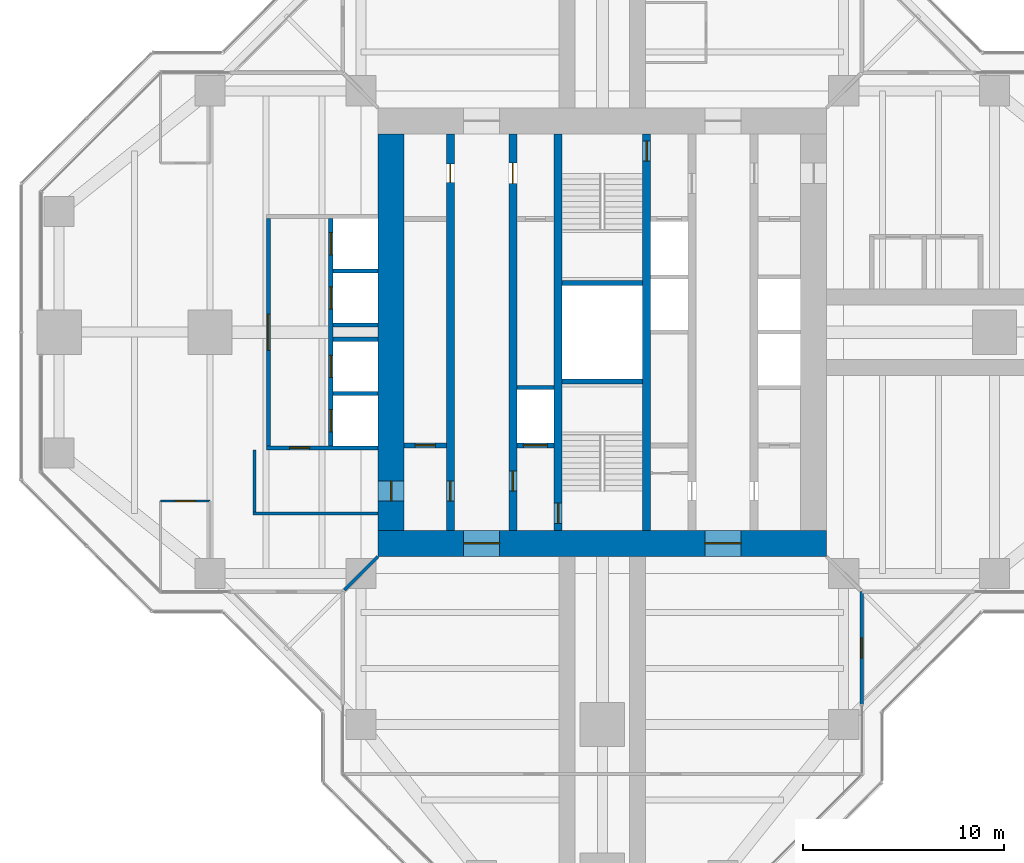
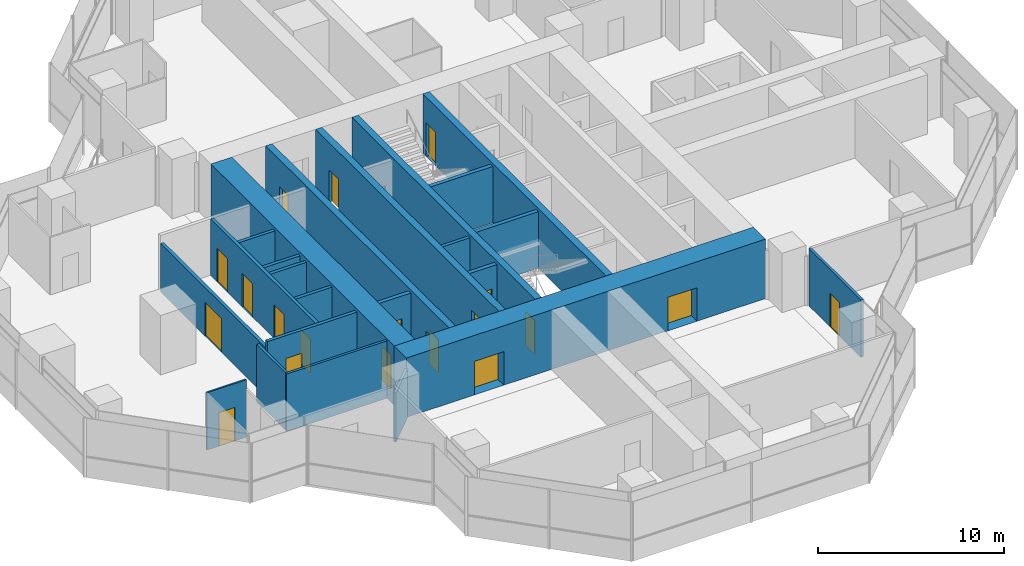
# One storey, part 13 of 17: 23 walls, 19 doors, 19 openings.
"""IFC4 building model written with IfcOpenShell, lengths in metres."""

from ifc_helpers import new_model, si_unit, direction, frame, frame_2d, origin, place, context, subcontext, project, spatial, rectangle, extrude, material, layer, layer_set, type_object, element, fill, save


model = new_model("IFC4")

# Units and contexts
model_context = context("Model", 3, precision=1e-05, world=origin(), true_north=direction((0.0, 1.0)))
body_context = subcontext(model_context, "Body", "Model", "MODEL_VIEW")
ifc_project = project(units=[si_unit("LENGTHUNIT", "METRE"), si_unit("AREAUNIT", "SQUARE_METRE"), si_unit("VOLUMEUNIT", "CUBIC_METRE"), si_unit("PLANEANGLEUNIT", "RADIAN"), si_unit("MASSUNIT", "GRAM", prefix="KILO")], contexts=[model_context])

# Site, building, storey
site_placement = place(None, origin())
site = spatial("IfcSite", under=ifc_project, at=site_placement, CompositionType="ELEMENT")
building_placement = place(site_placement, origin())
building = spatial("IfcBuilding", under=site, at=building_placement, Name="Mizan Broadcast Tower", CompositionType="ELEMENT")
storey_placement = place(building_placement, frame((0.0, 0.0, 208.800048828125)))
storey = spatial("IfcBuildingStorey", under=building, at=storey_placement, Name="L48", CompositionType="ELEMENT", Elevation=208.800048828125)

# Wall, openings, doors
ifc_material_1 = material(Name="Concrete C70/85", Category="concrete")
ifc_layer_1 = layer(ifc_material_1, 0.39990234375)
ifc_layer_set_1 = layer_set([ifc_layer_1], Name="Concrete C70/85")
wall_type_1 = type_object("IfcWallType", Name="CORE INTERNAL WALL 400", PredefinedType="SHEAR", material=ifc_layer_set_1)
wall_1_placement = place(storey_placement, frame((-7.550048828125, -9.85009765625, 0.0), z_axis=(0.0, 0.0, 1.0), x_axis=(0.0, 1.0, 0.0)))
wall_1 = element("IfcWall", 1, at=wall_1_placement, inside=storey, type_object=wall_type_1, Name="Core wall CORE/XW1", PredefinedType="SHEAR", context=body_context, shape_type="SweptSolid", body=[
    extrude(rectangle(XDim=19.7001953125, YDim=0.39990234375, at=frame_2d((9.85009765625, 0.0))), origin(), (0.0, 0.0, 1.0), 3.89990234375),
])
opening_1_placement = place(wall_1_placement, frame((1.449951171875, 0.0, 0.0)))
opening_1 = element("IfcOpeningElement", 2, at=opening_1_placement, cuts=wall_1, Name="Opening D10F", PredefinedType="OPENING", context=body_context, shape_type="SweptSolid", body=[
    extrude(rectangle(XDim=1.0, YDim=2.199951171875, at=frame_2d((0.5, 1.10009765625))), frame((0.0, 0.2099609375, 0.0), z_axis=(0.0, -1.0, 0.0), x_axis=(1.0, 0.0, 0.0)), (0.0, 0.0, 1.0), 0.419921875),
])
opening_2_placement = place(wall_1_placement, frame((17.300048828125, 0.0, 0.0)))
opening_2 = element("IfcOpeningElement", 3, at=opening_2_placement, cuts=wall_1, Name="Opening D09", PredefinedType="OPENING", context=body_context, shape_type="SweptSolid", body=[
    extrude(rectangle(XDim=0.89990234375, YDim=2.10009765625, at=frame_2d((0.449951171875, 1.050048828125))), frame((0.0, 0.2099609375, 0.0), z_axis=(0.0, -1.0, 0.0), x_axis=(1.0, 0.0, 0.0)), (0.0, 0.0, 1.0), 0.419921875),
])
ifc_material_2 = material(Name="Steel door leaf in steel frame", Category="steel")
door_type_1 = type_object("IfcDoorType", Name="FIRE DOOR 1000 FD90", OperationType="SINGLE_SWING_LEFT", PredefinedType="DOOR", material=ifc_material_2)
door_1_placement = place(opening_1_placement, origin())
door_1 = element("IfcDoor", 4, at=door_1_placement, inside=storey, type_object=door_type_1, Name="West core passage door", OperationType="SINGLE_SWING_LEFT", OverallHeight=2.199951171875, OverallWidth=1.0, PredefinedType="DOOR", context=body_context, shape_type="SweptSolid", body=[
    extrude(rectangle(XDim=1.0, YDim=2.199951171875, at=frame_2d((0.5, 1.10009765625))), frame((0.0, 0.02490234375, 0.0), z_axis=(0.0, -1.0, 0.0), x_axis=(1.0, 0.0, 0.0)), (0.0, 0.0, 1.0), 0.050048828125),
])
fill(opening_1, door_1)
ifc_material_3 = material(Name="Timber door leaf in aluminium frame", Category="wood")
door_type_2 = type_object("IfcDoorType", Name="TOILET DOOR 900", OperationType="SINGLE_SWING_LEFT", PredefinedType="DOOR", material=ifc_material_3)
door_2_placement = place(opening_2_placement, origin())
door_2 = element("IfcDoor", 5, at=door_2_placement, inside=storey, type_object=door_type_2, Name="Male WC door", OperationType="SINGLE_SWING_RIGHT", OverallHeight=2.10009765625, OverallWidth=0.89990234375, PredefinedType="DOOR", context=body_context, shape_type="SweptSolid", body=[
    extrude(rectangle(XDim=0.89990234375, YDim=2.10009765625, at=frame_2d((0.449951171875, 1.050048828125))), frame((0.0, 0.02490234375, 0.0), z_axis=(0.0, -1.0, 0.0), x_axis=(1.0, 0.0, 0.0)), (0.0, 0.0, 1.0), 0.050048828125),
])
fill(opening_2, door_2)

wall_2_placement = place(storey_placement, frame((-4.449951171875, -9.85009765625, 0.0), z_axis=(0.0, 0.0, 1.0), x_axis=(0.0, 1.0, 0.0)))
wall_2 = element("IfcWall", 6, at=wall_2_placement, inside=storey, type_object=wall_type_1, Name="Core wall CORE/XWH", PredefinedType="SHEAR", context=body_context, shape_type="SweptSolid", body=[
    extrude(rectangle(XDim=19.7001953125, YDim=0.39990234375, at=frame_2d((9.85009765625, 0.0))), origin(), (0.0, 0.0, 1.0), 3.89990234375),
])
opening_3_placement = place(wall_2_placement, frame((1.949951171875, 0.0, 0.0)))
opening_3 = element("IfcOpeningElement", 7, at=opening_3_placement, cuts=wall_2, Name="Opening D10F", PredefinedType="OPENING", context=body_context, shape_type="SweptSolid", body=[
    extrude(rectangle(XDim=1.0, YDim=2.199951171875, at=frame_2d((0.5, 1.10009765625))), frame((0.0, 0.2099609375, 0.0), z_axis=(0.0, -1.0, 0.0), x_axis=(1.0, 0.0, 0.0)), (0.0, 0.0, 1.0), 0.419921875),
])
opening_4_placement = place(wall_2_placement, frame((17.25, 0.0, 0.0)))
opening_4 = element("IfcOpeningElement", 8, at=opening_4_placement, cuts=wall_2, Name="Opening D10A", PredefinedType="OPENING", context=body_context, shape_type="SweptSolid", body=[
    extrude(rectangle(XDim=1.0, YDim=2.10009765625, at=frame_2d((0.5, 1.050048828125))), frame((0.0, 0.2099609375, 0.0), z_axis=(0.0, -1.0, 0.0), x_axis=(1.0, 0.0, 0.0)), (0.0, 0.0, 1.0), 0.419921875),
])
ifc_material_4 = material(Name="Timber door leaf in aluminium frame", Category="wood")
door_type_3 = type_object("IfcDoorType", Name="ACCESSIBLE WC DOOR 1000", OperationType="SLIDING_TO_LEFT", PredefinedType="DOOR", material=ifc_material_4)
door_3_placement = place(opening_4_placement, origin())
door_3 = element("IfcDoor", 9, at=door_3_placement, inside=storey, type_object=door_type_3, Name="Accessible WC door", OperationType="SLIDING_TO_LEFT", OverallHeight=2.10009765625, OverallWidth=1.0, PredefinedType="DOOR", context=body_context, shape_type="SweptSolid", body=[
    extrude(rectangle(XDim=1.0, YDim=2.10009765625, at=frame_2d((0.5, 1.050048828125))), frame((0.0, 0.02490234375, 0.0), z_axis=(0.0, -1.0, 0.0), x_axis=(1.0, 0.0, 0.0)), (0.0, 0.0, 1.0), 0.050048828125),
])
fill(opening_4, door_3)
door_4_placement = place(opening_3_placement, origin())
door_4 = element("IfcDoor", 10, at=door_4_placement, inside=storey, type_object=door_type_1, Name="Firefighting lobby A door", OperationType="SINGLE_SWING_LEFT", OverallHeight=2.199951171875, OverallWidth=1.0, PredefinedType="DOOR", context=body_context, shape_type="SweptSolid", body=[
    extrude(rectangle(XDim=1.0, YDim=2.199951171875, at=frame_2d((0.5, 1.10009765625))), frame((0.0, 0.02490234375, 0.0), z_axis=(0.0, -1.0, 0.0), x_axis=(1.0, 0.0, 0.0)), (0.0, 0.0, 1.0), 0.050048828125),
])
fill(opening_3, door_4)

# Wall, opening, door
wall_3_placement = place(storey_placement, frame((-2.199951171875, -9.85009765625, 0.0), z_axis=(0.0, 0.0, 1.0), x_axis=(0.0, 1.0, 0.0)))
wall_3 = element("IfcWall", 11, at=wall_3_placement, inside=storey, type_object=wall_type_1, Name="Core wall CORE/XW2", PredefinedType="SHEAR", context=body_context, shape_type="SweptSolid", body=[
    extrude(rectangle(XDim=19.7001953125, YDim=0.39990234375, at=frame_2d((9.85009765625, 0.0))), origin(), (0.0, 0.0, 1.0), 3.89990234375),
])
opening_5_placement = place(wall_3_placement, frame((0.35009765625, 0.0, 0.0)))
opening_5 = element("IfcOpeningElement", 12, at=opening_5_placement, cuts=wall_3, Name="Opening D10S", PredefinedType="OPENING", context=body_context, shape_type="SweptSolid", body=[
    extrude(rectangle(XDim=1.0, YDim=2.199951171875, at=frame_2d((0.5, 1.10009765625))), frame((0.0, 0.2099609375, 0.0), z_axis=(0.0, -1.0, 0.0), x_axis=(1.0, 0.0, 0.0)), (0.0, 0.0, 1.0), 0.419921875),
])
ifc_material_5 = material(Name="Steel door leaf in steel frame", Category="steel")
door_type_4 = type_object("IfcDoorType", Name="STAIR DOOR 1000 FD90S", OperationType="SINGLE_SWING_RIGHT", PredefinedType="DOOR", material=ifc_material_5)
door_5_placement = place(opening_5_placement, origin())
door_5 = element("IfcDoor", 13, at=door_5_placement, inside=storey, type_object=door_type_4, Name="Stair A door", OperationType="SINGLE_SWING_RIGHT", OverallHeight=2.199951171875, OverallWidth=1.0, PredefinedType="DOOR", context=body_context, shape_type="SweptSolid", body=[
    extrude(rectangle(XDim=1.0, YDim=2.199951171875, at=frame_2d((0.5, 1.10009765625))), frame((0.0, 0.02490234375, 0.0), z_axis=(0.0, -1.0, 0.0), x_axis=(1.0, 0.0, 0.0)), (0.0, 0.0, 1.0), 0.050048828125),
])
fill(opening_5, door_5)

wall_4_placement = place(storey_placement, frame((2.199951171875, 9.85009765625, 0.0), z_axis=(0.0, 0.0, 1.0), x_axis=(0.0, -1.0, 0.0)))
wall_4 = element("IfcWall", 14, at=wall_4_placement, inside=storey, type_object=wall_type_1, Name="Core wall CORE/XW2E", PredefinedType="SHEAR", context=body_context, shape_type="SweptSolid", body=[
    extrude(rectangle(XDim=19.7001953125, YDim=0.39990234375, at=frame_2d((9.85009765625, 0.0))), origin(), (0.0, 0.0, 1.0), 3.89990234375),
])
opening_6_placement = place(wall_4_placement, frame((0.35009765625, 0.0, 0.0)))
opening_6 = element("IfcOpeningElement", 15, at=opening_6_placement, cuts=wall_4, Name="Opening D10S", PredefinedType="OPENING", context=body_context, shape_type="SweptSolid", body=[
    extrude(rectangle(XDim=1.0, YDim=2.199951171875, at=frame_2d((0.5, 1.10009765625))), frame((0.0, 0.2099609375, 0.0), z_axis=(0.0, -1.0, 0.0), x_axis=(1.0, 0.0, 0.0)), (0.0, 0.0, 1.0), 0.419921875),
])
door_6_placement = place(opening_6_placement, origin())
door_6 = element("IfcDoor", 16, at=door_6_placement, inside=storey, type_object=door_type_4, Name="Stair B door", OperationType="SINGLE_SWING_RIGHT", OverallHeight=2.199951171875, OverallWidth=1.0, PredefinedType="DOOR", context=body_context, shape_type="SweptSolid", body=[
    extrude(rectangle(XDim=1.0, YDim=2.199951171875, at=frame_2d((0.5, 1.10009765625))), frame((0.0, 0.02490234375, 0.0), z_axis=(0.0, -1.0, 0.0), x_axis=(1.0, 0.0, 0.0)), (0.0, 0.0, 1.0), 0.050048828125),
])
fill(opening_6, door_6)

# Wall, openings, doors
ifc_material_6 = material(Name="Concrete C70/85", Category="concrete")
ifc_layer_2 = layer(ifc_material_6, 1.300048828125)
ifc_layer_set_2 = layer_set([ifc_layer_2], Name="Concrete C70/85")
wall_type_2 = type_object("IfcWallType", Name="CORE WALL 1300", PredefinedType="SHEAR", material=ifc_layer_set_2)
wall_5_placement = place(storey_placement, frame((11.14990234375, -10.5, 0.0), z_axis=(0.0, 0.0, 1.0), x_axis=(-1.0, 0.0, 0.0)))
wall_5 = element("IfcWall", 17, at=wall_5_placement, inside=storey, type_object=wall_type_2, Name="Core wall S L48", PredefinedType="SHEAR", context=body_context, shape_type="SweptSolid", body=[
    extrude(rectangle(XDim=22.2998046875, YDim=1.300048828125, at=frame_2d((11.14990234375, 0.0))), origin(), (0.0, 0.0, 1.0), 3.89990234375),
])
opening_7_placement = place(wall_5_placement, frame((16.25, 0.0, 0.0)))
opening_7 = element("IfcOpeningElement", 18, at=opening_7_placement, cuts=wall_5, Name="Opening D18F", PredefinedType="OPENING", context=body_context, shape_type="SweptSolid", body=[
    extrude(rectangle(XDim=1.800048828125, YDim=2.199951171875, at=frame_2d((0.89990234375, 1.10009765625))), frame((0.0, 0.659912109375, 0.0), z_axis=(0.0, -1.0, 0.0), x_axis=(1.0, 0.0, 0.0)), (0.0, 0.0, 1.0), 1.320068359375),
])
opening_8_placement = place(wall_5_placement, frame((4.25, 0.0, 0.0)))
opening_8 = element("IfcOpeningElement", 19, at=opening_8_placement, cuts=wall_5, Name="Opening D18F", PredefinedType="OPENING", context=body_context, shape_type="SweptSolid", body=[
    extrude(rectangle(XDim=1.800048828125, YDim=2.199951171875, at=frame_2d((0.89990234375, 1.10009765625))), frame((0.0, 0.659912109375, 0.0), z_axis=(0.0, -1.0, 0.0), x_axis=(1.0, 0.0, 0.0)), (0.0, 0.0, 1.0), 1.320068359375),
])
ifc_material_7 = material(Name="Steel door leaf in steel frame", Category="steel")
door_type_5 = type_object("IfcDoorType", Name="LOBBY DOUBLE DOOR 1800 FD90", OperationType="DOUBLE_DOOR_DOUBLE_SWING", PredefinedType="DOOR", material=ifc_material_7)
door_7_placement = place(opening_7_placement, origin())
door_7 = element("IfcDoor", 20, at=door_7_placement, inside=storey, type_object=door_type_5, Name="West lift lobby south door", OperationType="DOUBLE_DOOR_DOUBLE_SWING", OverallHeight=2.199951171875, OverallWidth=1.800048828125, PredefinedType="DOOR", context=body_context, shape_type="SweptSolid", body=[
    extrude(rectangle(XDim=1.800048828125, YDim=2.199951171875, at=frame_2d((0.89990234375, 1.10009765625))), frame((0.0, 0.02490234375, 0.0), z_axis=(0.0, -1.0, 0.0), x_axis=(1.0, 0.0, 0.0)), (0.0, 0.0, 1.0), 0.050048828125),
])
fill(opening_7, door_7)
door_8_placement = place(opening_8_placement, origin())
door_8 = element("IfcDoor", 21, at=door_8_placement, inside=storey, type_object=door_type_5, Name="East lift lobby south door", OperationType="DOUBLE_DOOR_DOUBLE_SWING", OverallHeight=2.199951171875, OverallWidth=1.800048828125, PredefinedType="DOOR", context=body_context, shape_type="SweptSolid", body=[
    extrude(rectangle(XDim=1.800048828125, YDim=2.199951171875, at=frame_2d((0.89990234375, 1.10009765625))), frame((0.0, 0.02490234375, 0.0), z_axis=(0.0, -1.0, 0.0), x_axis=(1.0, 0.0, 0.0)), (0.0, 0.0, 1.0), 0.050048828125),
])
fill(opening_8, door_8)

# Wall, opening, door
wall_6_placement = place(storey_placement, frame((-10.5, 9.85009765625, 0.0), z_axis=(0.0, 0.0, 1.0), x_axis=(0.0, -1.0, 0.0)))
wall_6 = element("IfcWall", 22, at=wall_6_placement, inside=storey, type_object=wall_type_2, Name="Core wall W L48", PredefinedType="SHEAR", context=body_context, shape_type="SweptSolid", body=[
    extrude(rectangle(XDim=19.7001953125, YDim=1.300048828125, at=frame_2d((9.85009765625, 0.0))), origin(), (0.0, 0.0, 1.0), 3.89990234375),
])
opening_9_placement = place(wall_6_placement, frame((17.25, 0.0, 0.0)))
opening_9 = element("IfcOpeningElement", 23, at=opening_9_placement, cuts=wall_6, Name="Opening D10F", PredefinedType="OPENING", context=body_context, shape_type="SweptSolid", body=[
    extrude(rectangle(XDim=1.0, YDim=2.199951171875, at=frame_2d((0.5, 1.10009765625))), frame((0.0, 0.659912109375, 0.0), z_axis=(0.0, -1.0, 0.0), x_axis=(1.0, 0.0, 0.0)), (0.0, 0.0, 1.0), 1.320068359375),
])
door_9_placement = place(opening_9_placement, origin())
door_9 = element("IfcDoor", 24, at=door_9_placement, inside=storey, type_object=door_type_1, Name="West core passage arm door", OperationType="SINGLE_SWING_RIGHT", OverallHeight=2.199951171875, OverallWidth=1.0, PredefinedType="DOOR", context=body_context, shape_type="SweptSolid", body=[
    extrude(rectangle(XDim=1.0, YDim=2.199951171875, at=frame_2d((0.5, 1.10009765625))), frame((0.0, 0.02490234375, 0.0), z_axis=(0.0, -1.0, 0.0), x_axis=(1.0, 0.0, 0.0)), (0.0, 0.0, 1.0), 0.050048828125),
])
fill(opening_9, door_9)

ifc_material_8 = material(Name="Aluminium framed glazed screen", Category="aluminium")
ifc_layer_3 = layer(ifc_material_8, 0.159912109375)
ifc_layer_set_3 = layer_set([ifc_layer_3], Name="Aluminium framed glazed screen")
wall_type_3 = type_object("IfcWallType", Name="GLAZED SCREEN WALL 160", PredefinedType="SOLIDWALL", material=ifc_layer_set_3)
wall_7_placement = place(storey_placement, frame((12.89990234375, -18.5, 0.0), z_axis=(0.0, 0.0, 1.0), x_axis=(0.0, 1.0, 0.0)))
wall_7 = element("IfcWall", 25, at=wall_7_placement, inside=storey, type_object=wall_type_3, Name="Winter garden screen L48 S", PredefinedType="SOLIDWALL", context=body_context, shape_type="SweptSolid", body=[
    extrude(rectangle(XDim=5.60009765625, YDim=0.159912109375, at=frame_2d((2.800048828125, 0.0))), origin(), (0.0, 0.0, 1.0), 3.77001953125),
])
opening_10_placement = place(wall_7_placement, frame((2.300048828125, 0.0, 0.0)))
opening_10 = element("IfcOpeningElement", 26, at=opening_10_placement, cuts=wall_7, Name="Opening WGD", PredefinedType="OPENING", context=body_context, shape_type="SweptSolid", body=[
    extrude(rectangle(XDim=1.0, YDim=2.199951171875, at=frame_2d((0.5, 1.10009765625))), frame((0.0, 0.08984375, 0.0), z_axis=(0.0, -1.0, 0.0), x_axis=(1.0, 0.0, 0.0)), (0.0, 0.0, 1.0), 0.179931640625),
])
ifc_material_9 = material(Name="Aluminium framed glazed door", Category="aluminium")
door_type_6 = type_object("IfcDoorType", Name="WINTER GARDEN DOOR 1000 GLAZED", OperationType="SINGLE_SWING_LEFT", PredefinedType="DOOR", material=ifc_material_9)
door_10_placement = place(opening_10_placement, origin())
door_10 = element("IfcDoor", 27, at=door_10_placement, inside=storey, type_object=door_type_6, Name="Winter garden door L48 S", OperationType="SINGLE_SWING_RIGHT", OverallHeight=2.199951171875, OverallWidth=1.0, PredefinedType="DOOR", context=body_context, shape_type="SweptSolid", body=[
    extrude(rectangle(XDim=1.0, YDim=2.199951171875, at=frame_2d((0.5, 1.10009765625))), frame((0.0, 0.02490234375, 0.0), z_axis=(0.0, -1.0, 0.0), x_axis=(1.0, 0.0, 0.0)), (0.0, 0.0, 1.0), 0.050048828125),
])
fill(opening_10, door_10)

# Wall
ifc_material_10 = material(Name="Concrete blockwork", Category="masonry")
ifc_layer_4 = layer(ifc_material_10, 0.199951171875)
ifc_layer_set_4 = layer_set([ifc_layer_4], Name="Concrete blockwork")
wall_type_4 = type_object("IfcWallType", Name="LIFT SHAFT WALL 200", PredefinedType="SOLIDWALL", material=ifc_layer_set_4)
wall_8_placement = place(storey_placement, frame((-4.25, -2.75, 0.0), z_axis=(0.0, 0.0, 1.0), x_axis=(1.0, 0.0, 0.0)))
element("IfcWall", 28, at=wall_8_placement, inside=storey, type_object=wall_type_4, Name="Lift shaft wall CORE/SW2-1", PredefinedType="SOLIDWALL", context=body_context, shape_type="SweptSolid", body=[
    extrude(rectangle(XDim=1.85009765625, YDim=0.199951171875, at=frame_2d((0.925048828125, 0.0))), origin(), (0.0, 0.0, 1.0), 3.699951171875),
])

# Wall, openings, doors
wall_9_placement = place(storey_placement, frame((-13.5, 5.64990234375, 0.0), z_axis=(0.0, 0.0, 1.0), x_axis=(0.0, -1.0, 0.0)))
wall_9 = element("IfcWall", 29, at=wall_9_placement, inside=storey, type_object=wall_type_4, Name="Lift shaft wall LC/F", PredefinedType="SOLIDWALL", context=body_context, shape_type="SweptSolid", body=[
    extrude(rectangle(XDim=11.2998046875, YDim=0.199951171875, at=frame_2d((5.64990234375, 0.0))), origin(), (0.0, 0.0, 1.0), 3.699951171875),
])
opening_11_placement = place(wall_9_placement, frame((0.699951171875, 0.0, 0.0)))
opening_11 = element("IfcOpeningElement", 30, at=opening_11_placement, cuts=wall_9, Name="Opening LD", PredefinedType="OPENING", context=body_context, shape_type="SweptSolid", body=[
    extrude(rectangle(XDim=1.10009765625, YDim=2.199951171875, at=frame_2d((0.550048828125, 1.10009765625))), frame((0.0, 0.10986328125, 0.0), z_axis=(0.0, -1.0, 0.0), x_axis=(1.0, 0.0, 0.0)), (0.0, 0.0, 1.0), 0.219970703125),
])
opening_12_placement = place(wall_9_placement, frame((3.39990234375, 0.0, 0.0)))
opening_12 = element("IfcOpeningElement", 31, at=opening_12_placement, cuts=wall_9, Name="Opening LD", PredefinedType="OPENING", context=body_context, shape_type="SweptSolid", body=[
    extrude(rectangle(XDim=1.10009765625, YDim=2.199951171875, at=frame_2d((0.550048828125, 1.10009765625))), frame((0.0, 0.10986328125, 0.0), z_axis=(0.0, -1.0, 0.0), x_axis=(1.0, 0.0, 0.0)), (0.0, 0.0, 1.0), 0.219970703125),
])
opening_13_placement = place(wall_9_placement, frame((6.800048828125, 0.0, 0.0)))
opening_13 = element("IfcOpeningElement", 32, at=opening_13_placement, cuts=wall_9, Name="Opening LD", PredefinedType="OPENING", context=body_context, shape_type="SweptSolid", body=[
    extrude(rectangle(XDim=1.10009765625, YDim=2.199951171875, at=frame_2d((0.550048828125, 1.10009765625))), frame((0.0, 0.10986328125, 0.0), z_axis=(0.0, -1.0, 0.0), x_axis=(1.0, 0.0, 0.0)), (0.0, 0.0, 1.0), 0.219970703125),
])
opening_14_placement = place(wall_9_placement, frame((9.5, 0.0, 0.0)))
opening_14 = element("IfcOpeningElement", 33, at=opening_14_placement, cuts=wall_9, Name="Opening LD", PredefinedType="OPENING", context=body_context, shape_type="SweptSolid", body=[
    extrude(rectangle(XDim=1.10009765625, YDim=2.199951171875, at=frame_2d((0.550048828125, 1.10009765625))), frame((0.0, 0.10986328125, 0.0), z_axis=(0.0, -1.0, 0.0), x_axis=(1.0, 0.0, 0.0)), (0.0, 0.0, 1.0), 0.219970703125),
])
ifc_material_11 = material(Name="Steel door leaf in steel frame", Category="steel")
door_type_7 = type_object("IfcDoorType", Name="LIFT LANDING DOOR 1100", OperationType="SLIDING_TO_LEFT", PredefinedType="DOOR", material=ifc_material_11)
door_11_placement = place(opening_11_placement, origin())
door_11 = element("IfcDoor", 34, at=door_11_placement, inside=storey, type_object=door_type_7, Name="Landing door LC1", OperationType="SLIDING_TO_LEFT", OverallHeight=2.199951171875, OverallWidth=1.10009765625, PredefinedType="DOOR", context=body_context, shape_type="SweptSolid", body=[
    extrude(rectangle(XDim=1.10009765625, YDim=2.199951171875, at=frame_2d((0.550048828125, 1.10009765625))), frame((0.0, 0.02490234375, 0.0), z_axis=(0.0, -1.0, 0.0), x_axis=(1.0, 0.0, 0.0)), (0.0, 0.0, 1.0), 0.050048828125),
])
fill(opening_11, door_11)
door_12_placement = place(opening_12_placement, origin())
door_12 = element("IfcDoor", 35, at=door_12_placement, inside=storey, type_object=door_type_7, Name="Landing door LC2", OperationType="SLIDING_TO_LEFT", OverallHeight=2.199951171875, OverallWidth=1.10009765625, PredefinedType="DOOR", context=body_context, shape_type="SweptSolid", body=[
    extrude(rectangle(XDim=1.10009765625, YDim=2.199951171875, at=frame_2d((0.550048828125, 1.10009765625))), frame((0.0, 0.02490234375, 0.0), z_axis=(0.0, -1.0, 0.0), x_axis=(1.0, 0.0, 0.0)), (0.0, 0.0, 1.0), 0.050048828125),
])
fill(opening_12, door_12)
door_13_placement = place(opening_13_placement, origin())
door_13 = element("IfcDoor", 36, at=door_13_placement, inside=storey, type_object=door_type_7, Name="Landing door LC3", OperationType="SLIDING_TO_LEFT", OverallHeight=2.199951171875, OverallWidth=1.10009765625, PredefinedType="DOOR", context=body_context, shape_type="SweptSolid", body=[
    extrude(rectangle(XDim=1.10009765625, YDim=2.199951171875, at=frame_2d((0.550048828125, 1.10009765625))), frame((0.0, 0.02490234375, 0.0), z_axis=(0.0, -1.0, 0.0), x_axis=(1.0, 0.0, 0.0)), (0.0, 0.0, 1.0), 0.050048828125),
])
fill(opening_13, door_13)
door_14_placement = place(opening_14_placement, origin())
door_14 = element("IfcDoor", 37, at=door_14_placement, inside=storey, type_object=door_type_7, Name="Landing door LC4", OperationType="SLIDING_TO_LEFT", OverallHeight=2.199951171875, OverallWidth=1.10009765625, PredefinedType="DOOR", context=body_context, shape_type="SweptSolid", body=[
    extrude(rectangle(XDim=1.10009765625, YDim=2.199951171875, at=frame_2d((0.550048828125, 1.10009765625))), frame((0.0, 0.02490234375, 0.0), z_axis=(0.0, -1.0, 0.0), x_axis=(1.0, 0.0, 0.0)), (0.0, 0.0, 1.0), 0.050048828125),
])
fill(opening_14, door_14)

# Wall, opening, door
wall_10_placement = place(storey_placement, frame((-11.14990234375, -5.75, 0.0), z_axis=(0.0, 0.0, 1.0), x_axis=(-1.0, 0.0, 0.0)))
wall_10 = element("IfcWall", 38, at=wall_10_placement, inside=storey, type_object=wall_type_4, Name="Lift shaft wall LC/S2", PredefinedType="SOLIDWALL", context=body_context, shape_type="SweptSolid", body=[
    extrude(rectangle(XDim=5.550048828125, YDim=0.199951171875, at=frame_2d((2.77490234375, 0.0))), origin(), (0.0, 0.0, 1.0), 3.699951171875),
])
opening_15_placement = place(wall_10_placement, frame((3.39990234375, 0.0, 0.0)))
opening_15 = element("IfcOpeningElement", 39, at=opening_15_placement, cuts=wall_10, Name="Opening D10F", PredefinedType="OPENING", context=body_context, shape_type="SweptSolid", body=[
    extrude(rectangle(XDim=1.0, YDim=2.199951171875, at=frame_2d((0.5, 1.10009765625))), frame((0.0, 0.10986328125, 0.0), z_axis=(0.0, -1.0, 0.0), x_axis=(1.0, 0.0, 0.0)), (0.0, 0.0, 1.0), 0.219970703125),
])
door_15_placement = place(opening_15_placement, origin())
door_15 = element("IfcDoor", 40, at=door_15_placement, inside=storey, type_object=door_type_1, Name="High-rise lobby corridor door", OperationType="SINGLE_SWING_RIGHT", OverallHeight=2.199951171875, OverallWidth=1.0, PredefinedType="DOOR", context=body_context, shape_type="SweptSolid", body=[
    extrude(rectangle(XDim=1.0, YDim=2.199951171875, at=frame_2d((0.5, 1.10009765625))), frame((0.0, 0.02490234375, 0.0), z_axis=(0.0, -1.0, 0.0), x_axis=(1.0, 0.0, 0.0)), (0.0, 0.0, 1.0), 0.050048828125),
])
fill(opening_15, door_15)

# Walls
for number, where, z_axis, x_axis, name in (
    (41, (-11.14990234375, 3.050048828125, 0.0), (0.0, 0.0, 1.0), (-1.0, 0.0, 0.0), "Lift shaft wall LC/SP1"),
    (42, (-11.14990234375, 0.35009765625, 0.0), (0.0, 0.0, 1.0), (-1.0, 0.0, 0.0), "Lift shaft wall LC/SP2"),
    (43, (-11.14990234375, -0.35009765625, 0.0), (0.0, 0.0, 1.0), (-1.0, 0.0, 0.0), "Lift shaft wall LC/SP3"),
    (44, (-11.14990234375, -3.050048828125, 0.0), (0.0, 0.0, 1.0), (-1.0, 0.0, 0.0), "Lift shaft wall LC/SP4"),
):
    element("IfcWall", number, at=place(storey_placement, frame(where, z_axis=z_axis, x_axis=x_axis)), inside=storey, type_object=wall_type_4, Name=name, PredefinedType="SOLIDWALL", context=body_context, shape_type="SweptSolid", body=[
        extrude(rectangle(XDim=2.25, YDim=0.199951171875, at=frame_2d((1.125, 0.0))), origin(), (0.0, 0.0, 1.0), 3.699951171875),
    ])

# Wall, opening, door
ifc_material_12 = material(Name="Concrete blockwork", Category="masonry")
ifc_layer_5 = layer(ifc_material_12, 0.25)
ifc_layer_set_5 = layer_set([ifc_layer_5], Name="Concrete blockwork")
wall_type_5 = type_object("IfcWallType", Name="LOBBY ENCLOSURE WALL 250", PredefinedType="SOLIDWALL", material=ifc_layer_set_5)
wall_11_placement = place(storey_placement, frame((-9.85009765625, -5.625, 0.0), z_axis=(0.0, 0.0, 1.0), x_axis=(1.0, 0.0, 0.0)))
wall_11 = element("IfcWall", 45, at=wall_11_placement, inside=storey, type_object=wall_type_5, Name="Lobby enclosure wall CORE/BW1S", PredefinedType="SOLIDWALL", context=body_context, shape_type="SweptSolid", body=[
    extrude(rectangle(XDim=2.10009765625, YDim=0.25, at=frame_2d((1.050048828125, 0.0))), origin(), (0.0, 0.0, 1.0), 3.699951171875),
])
opening_16_placement = place(wall_11_placement, frame((0.550048828125, 0.0, 0.0)))
opening_16 = element("IfcOpeningElement", 46, at=opening_16_placement, cuts=wall_11, Name="Opening D10F", PredefinedType="OPENING", context=body_context, shape_type="SweptSolid", body=[
    extrude(rectangle(XDim=1.0, YDim=2.199951171875, at=frame_2d((0.5, 1.10009765625))), frame((0.0, 0.135009765625, 0.0), z_axis=(0.0, -1.0, 0.0), x_axis=(1.0, 0.0, 0.0)), (0.0, 0.0, 1.0), 0.27001953125),
])
door_16_placement = place(opening_16_placement, origin())
door_16 = element("IfcDoor", 47, at=door_16_placement, inside=storey, type_object=door_type_1, Name="Comms equipment room door", OperationType="SINGLE_SWING_RIGHT", OverallHeight=2.199951171875, OverallWidth=1.0, PredefinedType="DOOR", context=body_context, shape_type="SweptSolid", body=[
    extrude(rectangle(XDim=1.0, YDim=2.199951171875, at=frame_2d((0.5, 1.10009765625))), frame((0.0, 0.02490234375, 0.0), z_axis=(0.0, -1.0, 0.0), x_axis=(1.0, 0.0, 0.0)), (0.0, 0.0, 1.0), 0.050048828125),
])
fill(opening_16, door_16)

wall_12_placement = place(storey_placement, frame((-4.25, -5.625, 0.0), z_axis=(0.0, 0.0, 1.0), x_axis=(1.0, 0.0, 0.0)))
wall_12 = element("IfcWall", 48, at=wall_12_placement, inside=storey, type_object=wall_type_5, Name="Lobby enclosure wall CORE/BW2S", PredefinedType="SOLIDWALL", context=body_context, shape_type="SweptSolid", body=[
    extrude(rectangle(XDim=1.85009765625, YDim=0.25, at=frame_2d((0.925048828125, 0.0))), origin(), (0.0, 0.0, 1.0), 3.699951171875),
])
opening_17_placement = place(wall_12_placement, frame((0.324951171875, 0.0, 0.0)))
opening_17 = element("IfcOpeningElement", 49, at=opening_17_placement, cuts=wall_12, Name="Opening LDF", PredefinedType="OPENING", context=body_context, shape_type="SweptSolid", body=[
    extrude(rectangle(XDim=1.199951171875, YDim=2.199951171875, at=frame_2d((0.60009765625, 1.10009765625))), frame((0.0, 0.135009765625, 0.0), z_axis=(0.0, -1.0, 0.0), x_axis=(1.0, 0.0, 0.0)), (0.0, 0.0, 1.0), 0.27001953125),
])
ifc_material_13 = material(Name="Steel door leaf in steel frame", Category="steel")
door_type_8 = type_object("IfcDoorType", Name="FIREFIGHTING LIFT LANDING DOOR 1200", OperationType="SLIDING_TO_LEFT", PredefinedType="DOOR", material=ifc_material_13)
door_17_placement = place(opening_17_placement, origin())
door_17 = element("IfcDoor", 50, at=door_17_placement, inside=storey, type_object=door_type_8, Name="Landing door FF1", OperationType="SLIDING_TO_LEFT", OverallHeight=2.199951171875, OverallWidth=1.199951171875, PredefinedType="DOOR", context=body_context, shape_type="SweptSolid", body=[
    extrude(rectangle(XDim=1.199951171875, YDim=2.199951171875, at=frame_2d((0.60009765625, 1.10009765625))), frame((0.0, 0.02490234375, 0.0), z_axis=(0.0, -1.0, 0.0), x_axis=(1.0, 0.0, 0.0)), (0.0, 0.0, 1.0), 0.050048828125),
])
fill(opening_17, door_17)

# Walls
for number, where, z_axis, x_axis, name in (
    (51, (-2.0, -2.449951171875, 0.0), (0.0, 0.0, 1.0), (1.0, 0.0, 0.0), "Lobby enclosure wall CORE/STA"),
    (52, (-2.0, 2.449951171875, 0.0), (0.0, 0.0, 1.0), (1.0, 0.0, 0.0), "Lobby enclosure wall CORE/STB"),
):
    element("IfcWall", number, at=place(storey_placement, frame(where, z_axis=z_axis, x_axis=x_axis)), inside=storey, type_object=wall_type_5, Name=name, PredefinedType="SOLIDWALL", context=body_context, shape_type="SweptSolid", body=[
        extrude(rectangle(XDim=4.0, YDim=0.25, at=frame_2d((2.0, 0.0))), origin(), (0.0, 0.0, 1.0), 3.699951171875),
    ])

# Wall, opening, door
wall_13_placement = place(storey_placement, frame((-16.60009765625, 5.64990234375, 0.0), z_axis=(0.0, 0.0, 1.0), x_axis=(0.0, -1.0, 0.0)))
wall_13 = element("IfcWall", 53, at=wall_13_placement, inside=storey, type_object=wall_type_5, Name="Lobby enclosure wall LC/LF", PredefinedType="SOLIDWALL", context=body_context, shape_type="SweptSolid", body=[
    extrude(rectangle(XDim=11.2998046875, YDim=0.199951171875, at=frame_2d((5.64990234375, 0.0))), origin(), (0.0, 0.0, 1.0), 3.179931640625),
])
opening_18_placement = place(wall_13_placement, frame((4.75, 0.0, 0.0)))
opening_18 = element("IfcOpeningElement", 54, at=opening_18_placement, cuts=wall_13, Name="Opening D18F", PredefinedType="OPENING", context=body_context, shape_type="SweptSolid", body=[
    extrude(rectangle(XDim=1.800048828125, YDim=2.199951171875, at=frame_2d((0.89990234375, 1.10009765625))), frame((0.0, 0.10986328125, 0.0), z_axis=(0.0, -1.0, 0.0), x_axis=(1.0, 0.0, 0.0)), (0.0, 0.0, 1.0), 0.219970703125),
])
door_18_placement = place(opening_18_placement, origin())
door_18 = element("IfcDoor", 55, at=door_18_placement, inside=storey, type_object=door_type_5, Name="High-rise lift lobby door", OperationType="DOUBLE_DOOR_DOUBLE_SWING", OverallHeight=2.199951171875, OverallWidth=1.800048828125, PredefinedType="DOOR", context=body_context, shape_type="SweptSolid", body=[
    extrude(rectangle(XDim=1.800048828125, YDim=2.199951171875, at=frame_2d((0.89990234375, 1.10009765625))), frame((0.0, 0.02490234375, 0.0), z_axis=(0.0, -1.0, 0.0), x_axis=(1.0, 0.0, 0.0)), (0.0, 0.0, 1.0), 0.050048828125),
])
fill(opening_18, door_18)

# Walls
ifc_material_14 = material(Name="Gypsum board on steel studs", Category="steel")
ifc_layer_6 = layer(ifc_material_14, 0.14990234375)
ifc_layer_set_6 = layer_set([ifc_layer_6], Name="Gypsum board on steel studs")
wall_type_6 = type_object("IfcWallType", Name="PARTITION 150", PredefinedType="PARTITIONING", material=ifc_layer_set_6)
wall_14_placement = place(storey_placement, frame((-11.14990234375, -11.14990234375, 0.0), z_axis=(0.0, 0.0, 1.0), x_axis=(-0.707106781187, -0.707106781187, 0.0)))
element("IfcWall", 56, at=wall_14_placement, inside=storey, type_object=wall_type_6, Name="Partition PT/DGWS", PredefinedType="PARTITIONING", context=body_context, shape_type="SweptSolid", body=[
    extrude(rectangle(XDim=2.362060546875, YDim=0.14990234375, at=frame_2d((1.18115234375, 0.0))), origin(), (0.0, 0.0, 1.0), 3.219970703125),
])
wall_15_placement = place(storey_placement, frame((-11.14990234375, -9.0, 0.0), z_axis=(0.0, 0.0, 1.0), x_axis=(-1.0, 0.0, 0.0)))
element("IfcWall", 57, at=wall_15_placement, inside=storey, type_object=wall_type_6, Name="Partition PT/LCC1", PredefinedType="PARTITIONING", context=body_context, shape_type="SweptSolid", body=[
    extrude(rectangle(XDim=6.22509765625, YDim=0.14990234375, at=frame_2d((3.112548828125, 0.0))), origin(), (0.0, 0.0, 1.0), 3.77001953125),
])
wall_16_placement = place(storey_placement, frame((-17.300048828125, -5.85009765625, 0.0), z_axis=(0.0, 0.0, 1.0), x_axis=(0.0, -1.0, 0.0)))
element("IfcWall", 58, at=wall_16_placement, inside=storey, type_object=wall_type_6, Name="Partition PT/LCC2", PredefinedType="PARTITIONING", context=body_context, shape_type="SweptSolid", body=[
    extrude(rectangle(XDim=3.074951171875, YDim=0.14990234375, at=frame_2d((1.53759765625, 0.0))), origin(), (0.0, 0.0, 1.0), 3.77001953125),
])

# Wall, opening, door
ifc_material_15 = material(Name="Glazed aluminium partition on aluminium track", Category="aluminium")
ifc_layer_7 = layer(ifc_material_15, 0.10009765625)
ifc_layer_set_7 = layer_set([ifc_layer_7], Name="Glazed aluminium partition on aluminium track")
wall_type_7 = type_object("IfcWallType", Name="PARTITION GLAZED OFFICE FRONT 100", PredefinedType="PARTITIONING", material=ifc_layer_set_7)
wall_17_placement = place(storey_placement, frame((-19.5, -8.39990234375, 0.0), z_axis=(0.0, 0.0, 1.0), x_axis=(-1.0, 0.0, 0.0)))
wall_17 = element("IfcWall", 59, at=wall_17_placement, inside=storey, type_object=wall_type_7, Name="Glazed office front PT/WCP0", PredefinedType="PARTITIONING", context=body_context, shape_type="SweptSolid", body=[
    extrude(rectangle(XDim=2.458984375, YDim=0.10009765625, at=frame_2d((1.2294921875, 0.0))), origin(), (0.0, 0.0, 1.0), 3.77001953125),
])
opening_19_placement = place(wall_17_placement, frame((0.7294921875, 0.0, 0.0)))
opening_19 = element("IfcOpeningElement", 60, at=opening_19_placement, cuts=wall_17, Name="Opening D10O", PredefinedType="OPENING", context=body_context, shape_type="SweptSolid", body=[
    extrude(rectangle(XDim=1.0, YDim=2.199951171875, at=frame_2d((0.5, 1.10009765625))), frame((0.0, 0.06005859375, 0.0), z_axis=(0.0, -1.0, 0.0), x_axis=(1.0, 0.0, 0.0)), (0.0, 0.0, 1.0), 0.1201171875),
])
ifc_material_16 = material(Name="Timber door leaf in aluminium frame", Category="wood")
door_type_9 = type_object("IfcDoorType", Name="OFFICE DOOR 1000 GLAZED", OperationType="SINGLE_SWING_LEFT", PredefinedType="DOOR", material=ifc_material_16)
door_19_placement = place(opening_19_placement, origin())
door_19 = element("IfcDoor", 61, at=door_19_placement, inside=storey, type_object=door_type_9, Name="Office door", OperationType="SINGLE_SWING_LEFT", OverallHeight=2.199951171875, OverallWidth=1.0, PredefinedType="DOOR", context=body_context, shape_type="SweptSolid", body=[
    extrude(rectangle(XDim=1.0, YDim=2.199951171875, at=frame_2d((0.5, 1.10009765625))), frame((0.0, 0.02490234375, 0.0), z_axis=(0.0, -1.0, 0.0), x_axis=(1.0, 0.0, 0.0)), (0.0, 0.0, 1.0), 0.050048828125),
])
fill(opening_19, door_19)

save(model, "model.ifc")
